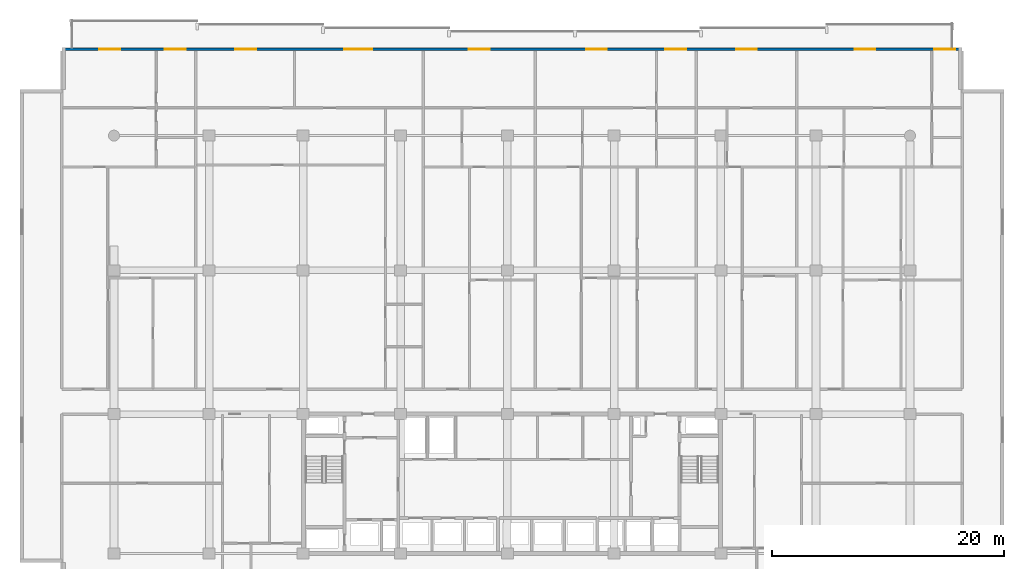
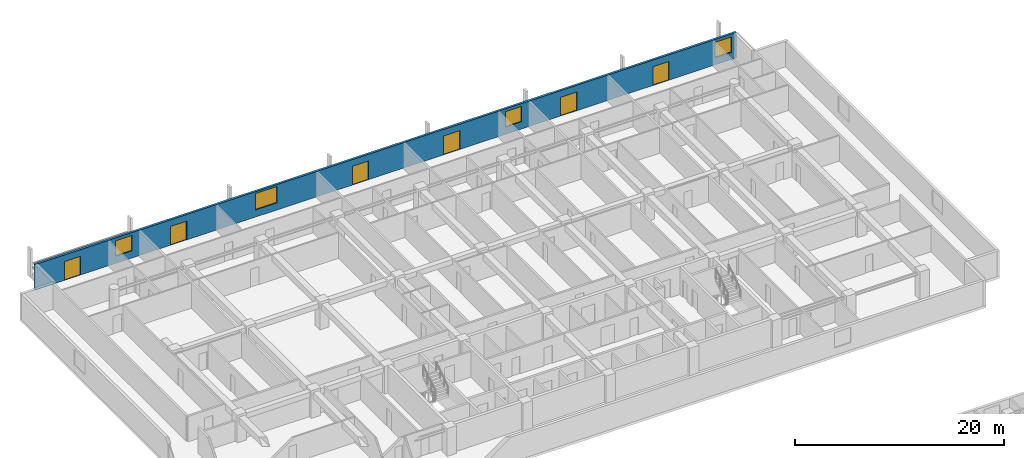
# One storey, part 17 of 24: 6 doors, 4 windows, 1 wall, 10 openings.
"""IFC4 building model written with IfcOpenShell, lengths in metres."""

from ifc_helpers import new_model, si_unit, direction, frame, frame_2d, origin, place, context, subcontext, project, spatial, rectangle, extrude, material, layer, layer_set, type_object, element, fill, save


model = new_model("IFC4")

# Units and contexts
model_context = context("Model", 3, precision=1e-05, world=origin(), true_north=direction((0.0, 1.0)))
body_context = subcontext(model_context, "Body", "Model", "MODEL_VIEW")
ifc_project = project(units=[si_unit("LENGTHUNIT", "METRE"), si_unit("AREAUNIT", "SQUARE_METRE"), si_unit("VOLUMEUNIT", "CUBIC_METRE"), si_unit("PLANEANGLEUNIT", "RADIAN"), si_unit("MASSUNIT", "GRAM", prefix="KILO")], contexts=[model_context])

# Site, building, storey
site_placement = place(None, origin())
site = spatial("IfcSite", under=ifc_project, at=site_placement, CompositionType="ELEMENT")
building_placement = place(site_placement, origin())
building = spatial("IfcBuilding", under=site, at=building_placement, Name="Korimba Cascade Residences", CompositionType="ELEMENT")
storey_placement = place(building_placement, frame((0.0, 0.0, 66.25)))
storey = spatial("IfcBuildingStorey", under=building, at=storey_placement, Name="L18", CompositionType="ELEMENT", Elevation=66.25)

# Wall, openings, doors, windows
ifc_material_1 = material(Name="Precast concrete C40/50", Category="concrete")
ifc_layer = layer(ifc_material_1, 0.25)
ifc_layer_set = layer_set([ifc_layer], Name="Precast concrete C40/50")
wall_type = type_object("IfcWallType", Name="EW-LOG-250", PredefinedType="STANDARD", material=ifc_layer_set)
wall_placement = place(storey_placement, frame((132.89990234375, 98.64990234375, 0.0), z_axis=(0.0, 0.0, 1.0), x_axis=(-1.0, 0.0, 0.0)))
wall = element("IfcWall", 1, at=wall_placement, inside=storey, type_object=wall_type, Name="L18 T1 Perimeter Stone Wall E06", PredefinedType="STANDARD", context=body_context, shape_type="SweptSolid", body=[
    extrude(rectangle(XDim=77.599853515625, YDim=0.25, at=frame_2d((38.7998046875, 0.0))), origin(), (0.0, 0.0, 1.0), 2.969970703125),
])
opening_1_placement = place(wall_placement, frame((72.572998046875, 0.0, 0.0)))
opening_1 = element("IfcOpeningElement", 2, at=opening_1_placement, cuts=wall, Name="Opening D-LG1", PredefinedType="OPENING", context=body_context, shape_type="SweptSolid", body=[
    extrude(rectangle(XDim=1.800048828125, YDim=2.199951171875, at=frame_2d((0.89990234375, 1.10009765625))), frame((0.0, 0.135009765625, 0.0), z_axis=(0.0, -1.0, 0.0), x_axis=(1.0, 0.0, 0.0)), (0.0, 0.0, 1.0), 0.27001953125),
])
opening_2_placement = place(wall_placement, frame((66.915771484375, 0.0, 0.85009765625)))
opening_2 = element("IfcOpeningElement", 3, at=opening_2_placement, cuts=wall, Name="Opening W-02", PredefinedType="OPENING", context=body_context, shape_type="SweptSolid", body=[
    extrude(rectangle(XDim=1.800048828125, YDim=1.800048828125, at=frame_2d((0.89990234375, 0.89990234375))), frame((0.0, 0.135009765625, 0.0), z_axis=(0.0, -1.0, 0.0), x_axis=(1.0, 0.0, 0.0)), (0.0, 0.0, 1.0), 0.27001953125),
])
opening_3_placement = place(wall_placement, frame((60.83544921875, 0.0, 0.0)))
opening_3 = element("IfcOpeningElement", 4, at=opening_3_placement, cuts=wall, Name="Opening D-LG1", PredefinedType="OPENING", context=body_context, shape_type="SweptSolid", body=[
    extrude(rectangle(XDim=1.800048828125, YDim=2.199951171875, at=frame_2d((0.89990234375, 1.10009765625))), frame((0.0, 0.135009765625, 0.0), z_axis=(0.0, -1.0, 0.0), x_axis=(1.0, 0.0, 0.0)), (0.0, 0.0, 1.0), 0.27001953125),
])
opening_4_placement = place(wall_placement, frame((50.850341796875, 0.0, 0.85009765625)))
opening_4 = element("IfcOpeningElement", 5, at=opening_4_placement, cuts=wall, Name="Opening W-01", PredefinedType="OPENING", context=body_context, shape_type="SweptSolid", body=[
    extrude(rectangle(XDim=2.39990234375, YDim=1.89990234375, at=frame_2d((1.199951171875, 0.949951171875))), frame((0.0, 0.135009765625, 0.0), z_axis=(0.0, -1.0, 0.0), x_axis=(1.0, 0.0, 0.0)), (0.0, 0.0, 1.0), 0.27001953125),
])
opening_5_placement = place(wall_placement, frame((40.716064453125, 0.0, 0.0)))
opening_5 = element("IfcOpeningElement", 6, at=opening_5_placement, cuts=wall, Name="Opening D-LG1", PredefinedType="OPENING", context=body_context, shape_type="SweptSolid", body=[
    extrude(rectangle(XDim=1.800048828125, YDim=2.199951171875, at=frame_2d((0.89990234375, 1.10009765625))), frame((0.0, 0.135009765625, 0.0), z_axis=(0.0, -1.0, 0.0), x_axis=(1.0, 0.0, 0.0)), (0.0, 0.0, 1.0), 0.27001953125),
])
opening_6_placement = place(wall_placement, frame((30.61572265625, 0.0, 0.0)))
opening_6 = element("IfcOpeningElement", 7, at=opening_6_placement, cuts=wall, Name="Opening D-LG1", PredefinedType="OPENING", context=body_context, shape_type="SweptSolid", body=[
    extrude(rectangle(XDim=1.800048828125, YDim=2.199951171875, at=frame_2d((0.89990234375, 1.10009765625))), frame((0.0, 0.135009765625, 0.0), z_axis=(0.0, -1.0, 0.0), x_axis=(1.0, 0.0, 0.0)), (0.0, 0.0, 1.0), 0.27001953125),
])
opening_7_placement = place(wall_placement, frame((23.8046875, 0.0, 0.85009765625)))
opening_7 = element("IfcOpeningElement", 8, at=opening_7_placement, cuts=wall, Name="Opening W-02", PredefinedType="OPENING", context=body_context, shape_type="SweptSolid", body=[
    extrude(rectangle(XDim=1.800048828125, YDim=1.800048828125, at=frame_2d((0.89990234375, 0.89990234375))), frame((0.0, 0.135009765625, 0.0), z_axis=(0.0, -1.0, 0.0), x_axis=(1.0, 0.0, 0.0)), (0.0, 0.0, 1.0), 0.27001953125),
])
opening_8_placement = place(wall_placement, frame((17.694580078125, 0.0, 0.0)))
opening_8 = element("IfcOpeningElement", 9, at=opening_8_placement, cuts=wall, Name="Opening D-LG1", PredefinedType="OPENING", context=body_context, shape_type="SweptSolid", body=[
    extrude(rectangle(XDim=1.800048828125, YDim=2.199951171875, at=frame_2d((0.89990234375, 1.10009765625))), frame((0.0, 0.135009765625, 0.0), z_axis=(0.0, -1.0, 0.0), x_axis=(1.0, 0.0, 0.0)), (0.0, 0.0, 1.0), 0.27001953125),
])
opening_9_placement = place(wall_placement, frame((7.477294921875, 0.0, 0.0)))
opening_9 = element("IfcOpeningElement", 10, at=opening_9_placement, cuts=wall, Name="Opening D-LG1", PredefinedType="OPENING", context=body_context, shape_type="SweptSolid", body=[
    extrude(rectangle(XDim=1.800048828125, YDim=2.199951171875, at=frame_2d((0.89990234375, 1.10009765625))), frame((0.0, 0.135009765625, 0.0), z_axis=(0.0, -1.0, 0.0), x_axis=(1.0, 0.0, 0.0)), (0.0, 0.0, 1.0), 0.27001953125),
])
opening_10_placement = place(wall_placement, frame((0.60009765625, 0.0, 0.85009765625)))
opening_10 = element("IfcOpeningElement", 11, at=opening_10_placement, cuts=wall, Name="Opening W-02", PredefinedType="OPENING", context=body_context, shape_type="SweptSolid", body=[
    extrude(rectangle(XDim=1.800048828125, YDim=1.800048828125, at=frame_2d((0.89990234375, 0.89990234375))), frame((0.0, 0.135009765625, 0.0), z_axis=(0.0, -1.0, 0.0), x_axis=(1.0, 0.0, 0.0)), (0.0, 0.0, 1.0), 0.27001953125),
])
ifc_material_2 = material(Name="Glazed Aluminium Loggia Sliding Door", Category="aluminium")
door_type = type_object("IfcDoorType", Name="DR-EXT-LOG", OperationType="NOTDEFINED", PredefinedType="DOOR", material=ifc_material_2)
door_1_placement = place(opening_1_placement, origin())
door_1 = element("IfcDoor", 12, at=door_1_placement, inside=storey, type_object=door_type, Name="L18 T1 Loggia Sliding Door 3", OperationType="SLIDING_TO_LEFT", OverallHeight=2.199951171875, OverallWidth=1.800048828125, PredefinedType="DOOR", context=body_context, shape_type="SweptSolid", body=[
    extrude(rectangle(XDim=1.800048828125, YDim=2.199951171875, at=frame_2d((0.89990234375, 1.10009765625))), frame((0.0, 0.02490234375, 0.0), z_axis=(0.0, -1.0, 0.0), x_axis=(1.0, 0.0, 0.0)), (0.0, 0.0, 1.0), 0.050048828125),
])
fill(opening_1, door_1)
door_2_placement = place(opening_3_placement, origin())
door_2 = element("IfcDoor", 13, at=door_2_placement, inside=storey, type_object=door_type, Name="L18 T1 Loggia Sliding Door 5", OperationType="SLIDING_TO_LEFT", OverallHeight=2.199951171875, OverallWidth=1.800048828125, PredefinedType="DOOR", context=body_context, shape_type="SweptSolid", body=[
    extrude(rectangle(XDim=1.800048828125, YDim=2.199951171875, at=frame_2d((0.89990234375, 1.10009765625))), frame((0.0, 0.02490234375, 0.0), z_axis=(0.0, -1.0, 0.0), x_axis=(1.0, 0.0, 0.0)), (0.0, 0.0, 1.0), 0.050048828125),
])
fill(opening_3, door_2)
door_3_placement = place(opening_5_placement, origin())
door_3 = element("IfcDoor", 14, at=door_3_placement, inside=storey, type_object=door_type, Name="L18 T1 Loggia Sliding Door 7", OperationType="SLIDING_TO_LEFT", OverallHeight=2.199951171875, OverallWidth=1.800048828125, PredefinedType="DOOR", context=body_context, shape_type="SweptSolid", body=[
    extrude(rectangle(XDim=1.800048828125, YDim=2.199951171875, at=frame_2d((0.89990234375, 1.10009765625))), frame((0.0, 0.02490234375, 0.0), z_axis=(0.0, -1.0, 0.0), x_axis=(1.0, 0.0, 0.0)), (0.0, 0.0, 1.0), 0.050048828125),
])
fill(opening_5, door_3)
door_4_placement = place(opening_6_placement, origin())
door_4 = element("IfcDoor", 15, at=door_4_placement, inside=storey, type_object=door_type, Name="L18 T1 Loggia Sliding Door 8", OperationType="SLIDING_TO_LEFT", OverallHeight=2.199951171875, OverallWidth=1.800048828125, PredefinedType="DOOR", context=body_context, shape_type="SweptSolid", body=[
    extrude(rectangle(XDim=1.800048828125, YDim=2.199951171875, at=frame_2d((0.89990234375, 1.10009765625))), frame((0.0, 0.02490234375, 0.0), z_axis=(0.0, -1.0, 0.0), x_axis=(1.0, 0.0, 0.0)), (0.0, 0.0, 1.0), 0.050048828125),
])
fill(opening_6, door_4)
door_5_placement = place(opening_8_placement, origin())
door_5 = element("IfcDoor", 16, at=door_5_placement, inside=storey, type_object=door_type, Name="L18 T1 Loggia Sliding Door 10", OperationType="SLIDING_TO_LEFT", OverallHeight=2.199951171875, OverallWidth=1.800048828125, PredefinedType="DOOR", context=body_context, shape_type="SweptSolid", body=[
    extrude(rectangle(XDim=1.800048828125, YDim=2.199951171875, at=frame_2d((0.89990234375, 1.10009765625))), frame((0.0, 0.02490234375, 0.0), z_axis=(0.0, -1.0, 0.0), x_axis=(1.0, 0.0, 0.0)), (0.0, 0.0, 1.0), 0.050048828125),
])
fill(opening_8, door_5)
door_6_placement = place(opening_9_placement, origin())
door_6 = element("IfcDoor", 17, at=door_6_placement, inside=storey, type_object=door_type, Name="L18 T1 Loggia Sliding Door 11", OperationType="SLIDING_TO_LEFT", OverallHeight=2.199951171875, OverallWidth=1.800048828125, PredefinedType="DOOR", context=body_context, shape_type="SweptSolid", body=[
    extrude(rectangle(XDim=1.800048828125, YDim=2.199951171875, at=frame_2d((0.89990234375, 1.10009765625))), frame((0.0, 0.02490234375, 0.0), z_axis=(0.0, -1.0, 0.0), x_axis=(1.0, 0.0, 0.0)), (0.0, 0.0, 1.0), 0.050048828125),
])
fill(opening_9, door_6)
ifc_material_3 = material(Name="Double-Glazed Aluminium Window", Category="aluminium")
window_type_1 = type_object("IfcWindowType", Name="WIN-BED-1800", PartitioningType="SINGLE_PANEL", PredefinedType="WINDOW", material=ifc_material_3)
window_1_placement = place(opening_2_placement, origin())
window_1 = element("IfcWindow", 18, at=window_1_placement, inside=storey, type_object=window_type_1, Name="L18 T1 North Facade Window 4", OverallHeight=1.800048828125, OverallWidth=1.800048828125, PartitioningType="SINGLE_PANEL", PredefinedType="WINDOW", context=body_context, shape_type="SweptSolid", body=[
    extrude(rectangle(XDim=1.800048828125, YDim=1.800048828125, at=frame_2d((0.89990234375, 0.89990234375))), frame((0.0, 0.030029296875, 0.0), z_axis=(0.0, -1.0, 0.0), x_axis=(1.0, 0.0, 0.0)), (0.0, 0.0, 1.0), 0.06005859375),
])
fill(opening_2, window_1)
window_2_placement = place(opening_7_placement, origin())
window_2 = element("IfcWindow", 19, at=window_2_placement, inside=storey, type_object=window_type_1, Name="L18 T1 North Facade Window 9", OverallHeight=1.800048828125, OverallWidth=1.800048828125, PartitioningType="SINGLE_PANEL", PredefinedType="WINDOW", context=body_context, shape_type="SweptSolid", body=[
    extrude(rectangle(XDim=1.800048828125, YDim=1.800048828125, at=frame_2d((0.89990234375, 0.89990234375))), frame((0.0, 0.030029296875, 0.0), z_axis=(0.0, -1.0, 0.0), x_axis=(1.0, 0.0, 0.0)), (0.0, 0.0, 1.0), 0.06005859375),
])
fill(opening_7, window_2)
window_3_placement = place(opening_10_placement, origin())
window_3 = element("IfcWindow", 20, at=window_3_placement, inside=storey, type_object=window_type_1, Name="L18 T1 North Facade Window 12", OverallHeight=1.800048828125, OverallWidth=1.800048828125, PartitioningType="SINGLE_PANEL", PredefinedType="WINDOW", context=body_context, shape_type="SweptSolid", body=[
    extrude(rectangle(XDim=1.800048828125, YDim=1.800048828125, at=frame_2d((0.89990234375, 0.89990234375))), frame((0.0, 0.030029296875, 0.0), z_axis=(0.0, -1.0, 0.0), x_axis=(1.0, 0.0, 0.0)), (0.0, 0.0, 1.0), 0.06005859375),
])
fill(opening_10, window_3)
window_type_2 = type_object("IfcWindowType", Name="WIN-RES-2400", PartitioningType="DOUBLE_PANEL_VERTICAL", PredefinedType="WINDOW", material=ifc_material_3)
window_4_placement = place(opening_4_placement, origin())
window_4 = element("IfcWindow", 21, at=window_4_placement, inside=storey, type_object=window_type_2, Name="L18 T1 North Facade Window 6", OverallHeight=1.89990234375, OverallWidth=2.39990234375, PartitioningType="DOUBLE_PANEL_VERTICAL", PredefinedType="WINDOW", context=body_context, shape_type="SweptSolid", body=[
    extrude(rectangle(XDim=2.39990234375, YDim=1.89990234375, at=frame_2d((1.199951171875, 0.949951171875))), frame((0.0, 0.030029296875, 0.0), z_axis=(0.0, -1.0, 0.0), x_axis=(1.0, 0.0, 0.0)), (0.0, 0.0, 1.0), 0.06005859375),
])
fill(opening_4, window_4)

save(model, "model.ifc")
